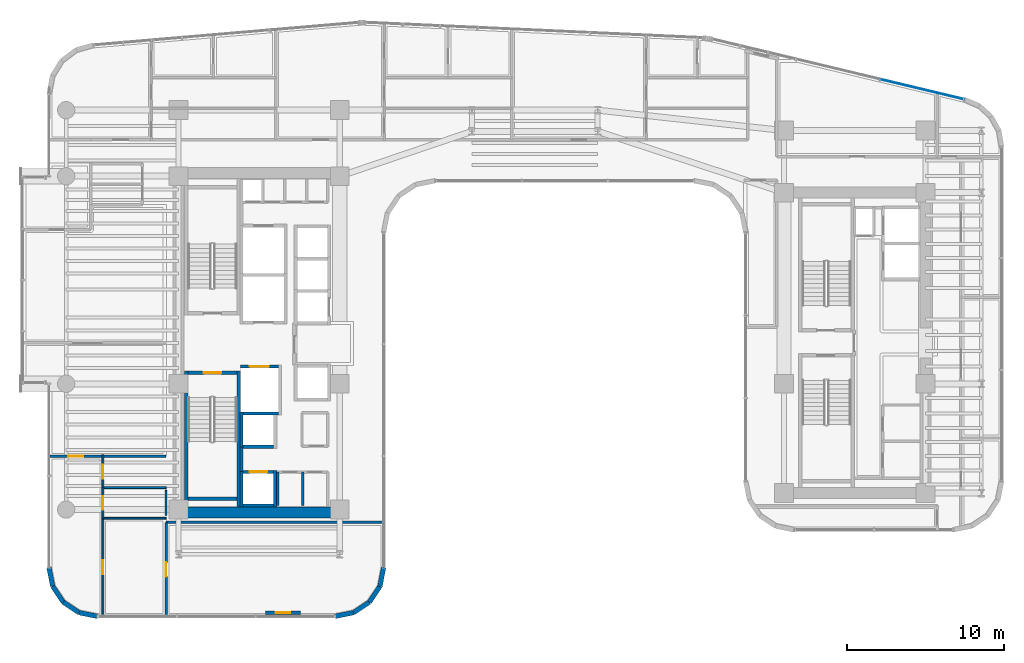
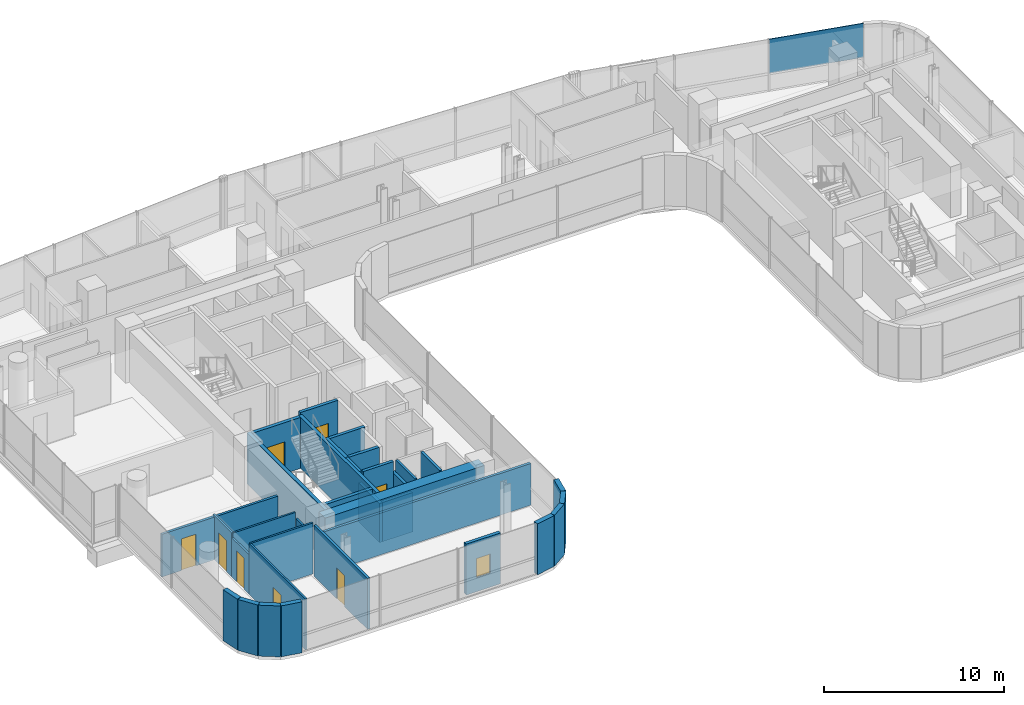
# One storey, part 26 of 36: 34 walls, 8 doors, 1 plate, 1 window, 9 openings, 1 element without a shape of its own.
"""IFC4 building model written with IfcOpenShell, lengths in metres."""

from ifc_helpers import new_model, si_unit, direction, frame, frame_2d, origin, origin_2d, place, context, subcontext, project, spatial, rectangle, extrude, source, transform, mapped, material, layer, layer_set, type_object, element, fill, aggregate, save


model = new_model("IFC4")

# Units and contexts
model_context = context("Model", 3, precision=1e-05, world=origin(), true_north=direction((0.0, 1.0)))
body_context = subcontext(model_context, "Body", "Model", "MODEL_VIEW")
ifc_project = project(units=[si_unit("LENGTHUNIT", "METRE"), si_unit("AREAUNIT", "SQUARE_METRE"), si_unit("VOLUMEUNIT", "CUBIC_METRE"), si_unit("PLANEANGLEUNIT", "RADIAN"), si_unit("MASSUNIT", "GRAM", prefix="KILO")], contexts=[model_context])

# Site, building, storey
site_placement = place(None, origin())
site = spatial("IfcSite", under=ifc_project, at=site_placement, CompositionType="ELEMENT")
building_placement = place(site_placement, origin())
building = spatial("IfcBuilding", under=site, at=building_placement, Name="Valdorenza Pilgrim Sanctuary Tower", CompositionType="ELEMENT")
storey_placement = place(building_placement, frame((0.0, 0.0, 109.39990234375)))
storey = spatial("IfcBuildingStorey", under=building, at=storey_placement, Name="L27", CompositionType="ELEMENT", Elevation=109.39990234375)

# Curtain wall, plate
ifc_material_1 = material(Name="Curtain-wall IGU glazing", Category="glass")
curtain_wall_type = type_object("IfcCurtainWallType", Name="CW-SYS-03", PredefinedType="NOTDEFINED", material=ifc_material_1)
curtain_wall_placement = place(storey_placement, origin())
curtain_wall = element("IfcCurtainWall", 1, at=curtain_wall_placement, inside=storey, type_object=curtain_wall_type, Name="L27 Curtain Wall CW-L27-1-16", PredefinedType="NOTDEFINED")
ifc_material_2 = material(Name="Ceramic-fritted low-E IGU glazing", Category="glass")
ifc_layer_1 = layer(ifc_material_2, 0.035888671875, Name="Ceramic-fritted low-E IGU glazing")
ifc_layer_set_1 = layer_set([ifc_layer_1], Name="Ceramic-fritted low-E IGU glazing")
plate_type = type_object("IfcPlateType", Name="CW-GLZ-IGU", PredefinedType="USERDEFINED", material=ifc_layer_set_1)
shared_shape = source(origin(), body_context, "Body", "SweptSolid", [
    extrude(rectangle(XDim=5.477294921875, YDim=0.050048828125, at=origin_2d()), origin(), (0.0, 0.0, 1.0), 2.320068359375),
])
plate_placement = place(storey_placement, frame((24.63720703125, 16.122802734375, 1.1298828125), z_axis=(0.0, 0.0, 1.0), x_axis=(0.972528596343, -0.232783438617, 0.0)))
plate = element("IfcPlate", 2, at=plate_placement, type_object=plate_type, Name="CW-L27-1-16 Facade Panel 3", ObjectType="GLAZING", PredefinedType="USERDEFINED", context=body_context, shape_type="MappedRepresentation", body=[
    mapped(shared_shape, transform((0.0, 0.0, 0.0), x_axis=(1.0, 0.0, 0.0), y_axis=(0.0, 1.0, 0.0), z_axis=(0.0, 0.0, 1.0), scale=1.0)),
])
aggregate(curtain_wall, [plate])

# Walls
ifc_material_3 = material(Name="Acoustic twin-stud gypsum partition", Category="gypsum")
ifc_layer_2 = layer(ifc_material_3, 0.159912109375, Name="Acoustic twin-stud gypsum partition")
ifc_layer_set_2 = layer_set([ifc_layer_2], Name="Acoustic twin-stud gypsum partition")
wall_type_1 = type_object("IfcWallType", Name="WAL-COR-160", PredefinedType="PARTITIONING", material=ifc_layer_set_2)
wall_1_placement = place(storey_placement, frame((-18.64990234375, -8.179931640625, 0.0), z_axis=(0.0, 0.0, 1.0), x_axis=(0.0, 1.0, 0.0)))
element("IfcWall", 3, at=wall_1_placement, inside=storey, type_object=wall_type_1, Name="L27 Core A South Lift Hall West Wall", PredefinedType="PARTITIONING", context=body_context, shape_type="SweptSolid", body=[
    extrude(rectangle(XDim=1.559814453125, YDim=0.159912109375, at=frame_2d((0.77978515625, 0.0))), origin(), (0.0, 0.0, 1.0), 3.460205078125),
])
wall_2_placement = place(storey_placement, frame((-14.75, -10.35009765625, 0.0), z_axis=(0.0, 0.0, 1.0), x_axis=(0.0, 1.0, 0.0)))
element("IfcWall", 4, at=wall_2_placement, inside=storey, type_object=wall_type_1, Name="L27 Freed Shaft 1 Split Wall", PredefinedType="PARTITIONING", context=body_context, shape_type="SweptSolid", body=[
    extrude(rectangle(XDim=2.130126953125, YDim=0.159912109375, at=frame_2d((1.06494140625, 0.0))), origin(), (0.0, 0.0, 1.0), 3.460205078125),
])
wall_3_placement = place(storey_placement, frame((-23.449951171875, -11.419921875, 0.0), z_axis=(0.0, 0.0, 1.0), x_axis=(1.0, 0.0, 0.0)))
element("IfcWall", 5, at=wall_3_placement, inside=storey, type_object=wall_type_1, Name="L27 South-East Pocket North Wall", PredefinedType="PARTITIONING", context=body_context, shape_type="SweptSolid", body=[
    extrude(rectangle(XDim=13.83984375, YDim=0.159912109375, at=frame_2d((6.919921875, 0.0))), origin(), (0.0, 0.0, 1.0), 2.833984375),
])

# Wall, opening, door
wall_4_placement = place(storey_placement, frame((-23.449951171875, -17.389892578125, 0.0), z_axis=(0.0, 0.0, 1.0), x_axis=(0.0, 1.0, 0.0)))
wall_4 = element("IfcWall", 6, at=wall_4_placement, inside=storey, type_object=wall_type_1, Name="L27 South-East Pocket West Wall", PredefinedType="PARTITIONING", context=body_context, shape_type="SweptSolid", body=[
    extrude(rectangle(XDim=5.969970703125, YDim=0.159912109375, at=frame_2d((2.98486328125, 0.0))), origin(), (0.0, 0.0, 1.0), 3.460205078125),
])
opening_1_placement = place(wall_4_placement, frame((2.534912109375, 0.0, 0.0)))
opening_1 = element("IfcOpeningElement", 7, at=opening_1_placement, cuts=wall_4, Name="Opening DR-RM1", PredefinedType="OPENING", context=body_context, shape_type="SweptSolid", body=[
    extrude(rectangle(XDim=0.89990234375, YDim=2.10009765625, at=frame_2d((0.449951171875, 1.050048828125))), frame((0.0, 0.0947265625, 0.0), z_axis=(0.0, -1.0, 0.0), x_axis=(1.0, 0.0, 0.0)), (0.0, 0.0, 1.0), 0.189697265625),
])
ifc_material_4 = material(Name="Solid-core European oak timber", Category="wood")
door_type_1 = type_object("IfcDoorType", Name="DR-ROOM-900", OperationType="NOTDEFINED", PredefinedType="DOOR", material=ifc_material_4)
door_1_placement = place(opening_1_placement, origin())
door_1 = element("IfcDoor", 8, at=door_1_placement, inside=storey, type_object=door_type_1, Name="L27 Sacred Archive Reading Library L27-S Door", OperationType="SINGLE_SWING_RIGHT", OverallHeight=2.10009765625, OverallWidth=0.89990234375, PredefinedType="DOOR", context=body_context, shape_type="SweptSolid", body=[
    extrude(rectangle(XDim=0.89990234375, YDim=2.10009765625, at=frame_2d((0.449951171875, 1.050048828125))), frame((0.0, 0.02490234375, 0.0), z_axis=(0.0, -1.0, 0.0), x_axis=(1.0, 0.0, 0.0)), (0.0, 0.0, 1.0), 0.050048828125),
])
fill(opening_1, door_1)

wall_5_placement = place(storey_placement, frame((-30.889892578125, -7.199951171875, 0.0), z_axis=(0.0, 0.0, 1.0), x_axis=(1.0, 0.0, 0.0)))
wall_5 = element("IfcWall", 9, at=wall_5_placement, inside=storey, type_object=wall_type_1, Name="L27 Cloister South Room Wall", PredefinedType="PARTITIONING", context=body_context, shape_type="SweptSolid", body=[
    extrude(rectangle(XDim=7.43994140625, YDim=0.159912109375, at=frame_2d((3.719970703125, 0.0))), origin(), (0.0, 0.0, 1.0), 2.89599609375),
])
opening_2_placement = place(wall_5_placement, frame((1.236083984375, 0.0, 0.0)))
opening_2 = element("IfcOpeningElement", 10, at=opening_2_placement, cuts=wall_5, Name="Opening DR-UN1", PredefinedType="OPENING", context=body_context, shape_type="SweptSolid", body=[
    extrude(rectangle(XDim=0.949951171875, YDim=2.14990234375, at=frame_2d((0.47509765625, 1.074951171875))), frame((0.0, 0.0947265625, 0.0), z_axis=(0.0, -1.0, 0.0), x_axis=(1.0, 0.0, 0.0)), (0.0, 0.0, 1.0), 0.189697265625),
])
door_type_2 = type_object("IfcDoorType", Name="DR-UNIT-950", OperationType="NOTDEFINED", PredefinedType="DOOR", material=ifc_material_4)
door_2_placement = place(opening_2_placement, origin())
door_2 = element("IfcDoor", 11, at=door_2_placement, inside=storey, type_object=door_type_2, Name="L27 Sanctuary Apartment L27-CS1 Entrance Door", OperationType="SINGLE_SWING_RIGHT", OverallHeight=2.14990234375, OverallWidth=0.949951171875, PredefinedType="DOOR", context=body_context, shape_type="SweptSolid", body=[
    extrude(rectangle(XDim=0.949951171875, YDim=2.14990234375, at=frame_2d((0.47509765625, 1.074951171875))), frame((0.0, 0.02490234375, 0.0), z_axis=(0.0, -1.0, 0.0), x_axis=(1.0, 0.0, 0.0)), (0.0, 0.0, 1.0), 0.050048828125),
])
fill(opening_2, door_2)

# Walls
ifc_material_5 = material(Name="Concrete C60/75", Category="concrete")
ifc_layer_3 = layer(ifc_material_5, 0.699951171875, Name="Concrete C60/75")
ifc_layer_set_3 = layer_set([ifc_layer_3], Name="Concrete C60/75")
wall_type_2 = type_object("IfcWallType", Name="WAL-COR-700", PredefinedType="SHEAR", material=ifc_layer_set_3)
wall_6_placement = place(storey_placement, frame((-22.64990234375, -10.800048828125, 0.0), z_axis=(0.0, 0.0, 1.0), x_axis=(1.0, 0.0, 0.0)))
element("IfcWall", 12, at=wall_6_placement, inside=storey, type_object=wall_type_2, Name="L27 Split Core A Shear Wall S", PredefinedType="SHEAR", context=body_context, shape_type="SweptSolid", body=[
    extrude(rectangle(XDim=10.25, YDim=0.699951171875, at=frame_2d((5.125, 0.0))), origin(), (0.0, 0.0, 1.0), 3.460205078125),
])
ifc_material_6 = material(Name="Honed travertine limestone", Category="masonry")
ifc_layer_4 = layer(ifc_material_6, 0.300048828125, Name="Honed travertine limestone")
ifc_layer_set_4 = layer_set([ifc_layer_4], Name="Honed travertine limestone")
wall_type_3 = type_object("IfcWallType", Name="WAL-EXT-300", PredefinedType="SOLIDWALL", material=ifc_layer_set_4)
wall_7_placement = place(storey_placement, frame((-9.610107421875, -14.289306640625, 0.0), z_axis=(0.0, 0.0, 1.0), x_axis=(-0.194996050505, -0.980804027463, 0.0)))
element("IfcWall", 13, at=wall_7_placement, inside=storey, type_object=wall_type_3, Name="L27 Rounded Wind-Corner Stone Pier 42", PredefinedType="SOLIDWALL", context=body_context, shape_type="SweptSolid", body=[
    extrude(rectangle(XDim=1.2158203125, YDim=0.300048828125, at=frame_2d((0.60791015625, 0.0))), origin(), (0.0, 0.0, 1.0), 3.460205078125),
])
for number, where, z_axis, x_axis, name in (
    (14, (-9.84716796875, -15.481689453125, 0.0), (0.0, 0.0, 1.0), (-0.555635100982, -0.831426265255, 0.0), "L27 Rounded Wind-Corner Stone Pier 43"),
    (15, (-10.5166015625, -16.4833984375, 0.0), (0.0, 0.0, 1.0), (-0.831426265255, -0.555635100982, 0.0), "L27 Rounded Wind-Corner Stone Pier 44"),
):
    element("IfcWall", number, at=place(storey_placement, frame(where, z_axis=z_axis, x_axis=x_axis)), inside=storey, type_object=wall_type_3, Name=name, PredefinedType="SOLIDWALL", context=body_context, shape_type="SweptSolid", body=[
        extrude(rectangle(XDim=1.204833984375, YDim=0.300048828125, at=frame_2d((0.6025390625, 0.0))), origin(), (0.0, 0.0, 1.0), 3.460205078125),
    ])
wall_8_placement = place(storey_placement, frame((-11.518310546875, -17.15283203125, 0.0), z_axis=(0.0, 0.0, 1.0), x_axis=(-0.980804027463, -0.194996050505, 0.0)))
element("IfcWall", 16, at=wall_8_placement, inside=storey, type_object=wall_type_3, Name="L27 Rounded Wind-Corner Stone Pier 45", PredefinedType="SOLIDWALL", context=body_context, shape_type="SweptSolid", body=[
    extrude(rectangle(XDim=1.2158203125, YDim=0.300048828125, at=frame_2d((0.60791015625, 0.0))), origin(), (0.0, 0.0, 1.0), 3.460205078125),
])

# Wall, opening, window
wall_9_placement = place(storey_placement, frame((-14.910888671875, -17.14990234375, 0.0), z_axis=(0.0, 0.0, 1.0), x_axis=(-1.0, 0.0, 0.0)))
wall_9 = element("IfcWall", 17, at=wall_9_placement, inside=storey, type_object=wall_type_3, Name="L27 Operable Ventilation Sash Jamb Pier", PredefinedType="SOLIDWALL", context=body_context, shape_type="SweptSolid", body=[
    extrude(rectangle(XDim=2.199951171875, YDim=0.219970703125, at=frame_2d((1.10009765625, 0.0))), origin(), (0.0, 0.0, 1.0), 3.460205078125),
])
opening_3_placement = place(wall_9_placement, frame((0.64990234375, 0.0, 0.949951171875)))
opening_3 = element("IfcOpeningElement", 18, at=opening_3_placement, cuts=wall_9, Name="Opening WN-OP1", PredefinedType="OPENING", context=body_context, shape_type="SweptSolid", body=[
    extrude(rectangle(XDim=0.89990234375, YDim=1.300048828125, at=frame_2d((0.449951171875, 0.64990234375))), frame((0.0, 0.125, 0.0), z_axis=(0.0, -1.0, 0.0), x_axis=(1.0, 0.0, 0.0)), (0.0, 0.0, 1.0), 0.249755859375),
])
window_type = type_object("IfcWindowType", Name="WIN-OPN-900", PartitioningType="SINGLE_PANEL", PredefinedType="WINDOW", material=ifc_material_2)
window_placement = place(opening_3_placement, origin())
window = element("IfcWindow", 19, at=window_placement, inside=storey, type_object=window_type, Name="L27 Parallel-Pop-Out Operable Facade Panel", OverallHeight=1.300048828125, OverallWidth=0.89990234375, PartitioningType="SINGLE_PANEL", PredefinedType="WINDOW", context=body_context, shape_type="SweptSolid", body=[
    extrude(rectangle(XDim=0.89990234375, YDim=1.300048828125, at=frame_2d((0.449951171875, 0.64990234375))), frame((0.0, 0.030029296875, 0.0), z_axis=(0.0, -1.0, 0.0), x_axis=(1.0, 0.0, 0.0)), (0.0, 0.0, 1.0), 0.06005859375),
])
fill(opening_3, window)

# Walls
wall_10_placement = place(storey_placement, frame((-27.789306640625, -17.389892578125, 0.0), z_axis=(0.0, 0.0, 1.0), x_axis=(-0.980804027463, 0.194996050505, 0.0)))
element("IfcWall", 20, at=wall_10_placement, inside=storey, type_object=wall_type_3, Name="L27 Rounded Wind-Corner Stone Pier 47", PredefinedType="SOLIDWALL", context=body_context, shape_type="SweptSolid", body=[
    extrude(rectangle(XDim=1.2158203125, YDim=0.300048828125, at=frame_2d((0.60791015625, 0.0))), origin(), (0.0, 0.0, 1.0), 3.460205078125),
])
for number, where, z_axis, x_axis, name in (
    (21, (-28.981689453125, -17.15283203125, 0.0), (0.0, 0.0, 1.0), (-0.831426265255, 0.555635100982, 0.0), "L27 Rounded Wind-Corner Stone Pier 48"),
    (22, (-29.9833984375, -16.4833984375, 0.0), (0.0, 0.0, 1.0), (-0.555635100982, 0.831426265255, 0.0), "L27 Rounded Wind-Corner Stone Pier 49"),
):
    element("IfcWall", number, at=place(storey_placement, frame(where, z_axis=z_axis, x_axis=x_axis)), inside=storey, type_object=wall_type_3, Name=name, PredefinedType="SOLIDWALL", context=body_context, shape_type="SweptSolid", body=[
        extrude(rectangle(XDim=1.204833984375, YDim=0.300048828125, at=frame_2d((0.6025390625, 0.0))), origin(), (0.0, 0.0, 1.0), 3.460205078125),
    ])
wall_11_placement = place(storey_placement, frame((-30.65283203125, -15.481689453125, 0.0), z_axis=(0.0, 0.0, 1.0), x_axis=(-0.194996050505, 0.980804027463, 0.0)))
element("IfcWall", 23, at=wall_11_placement, inside=storey, type_object=wall_type_3, Name="L27 Rounded Wind-Corner Stone Pier 50", PredefinedType="SOLIDWALL", context=body_context, shape_type="SweptSolid", body=[
    extrude(rectangle(XDim=1.2158203125, YDim=0.300048828125, at=frame_2d((0.60791015625, 0.0))), origin(), (0.0, 0.0, 1.0), 3.460205078125),
])
ifc_material_7 = material(Name="Moisture-resistant gypsum partition", Category="gypsum")
ifc_layer_5 = layer(ifc_material_7, 0.1201171875, Name="Moisture-resistant gypsum partition")
ifc_layer_set_5 = layer_set([ifc_layer_5], Name="Moisture-resistant gypsum partition")
wall_type_4 = type_object("IfcWallType", Name="WAL-INT-120", PredefinedType="PARTITIONING", material=ifc_layer_set_5)
wall_12_placement = place(storey_placement, frame((-27.467529296875, -9.199951171875, 0.0), z_axis=(0.0, 0.0, 1.0), x_axis=(1.0, 0.0, 0.0)))
element("IfcWall", 24, at=wall_12_placement, inside=storey, type_object=wall_type_4, Name="L27 Sanctuary Apartment L27-CS1 Bath-Kitchen Wall", PredefinedType="PARTITIONING", context=body_context, shape_type="SweptSolid", body=[
    extrude(rectangle(XDim=4.017578125, YDim=0.1201171875, at=frame_2d((2.0087890625, 0.0))), origin(), (0.0, 0.0, 1.0), 2.988037109375),
])
wall_13_placement = place(storey_placement, frame((-27.467529296875, -11.14990234375, 0.0), z_axis=(0.0, 0.0, 1.0), x_axis=(1.0, 0.0, 0.0)))
element("IfcWall", 25, at=wall_13_placement, inside=storey, type_object=wall_type_4, Name="L27 Sanctuary Apartment L27-CS1 Kitchen-Bedroom Wall", PredefinedType="PARTITIONING", context=body_context, shape_type="SweptSolid", body=[
    extrude(rectangle(XDim=4.017578125, YDim=0.1201171875, at=frame_2d((2.0087890625, 0.0))), origin(), (0.0, 0.0, 1.0), 3.460205078125),
])

# Wall, opening, door
wall_14_placement = place(storey_placement, frame((-27.467529296875, -11.14990234375, 0.0), z_axis=(0.0, 0.0, 1.0), x_axis=(0.0, 1.0, 0.0)))
wall_14 = element("IfcWall", 26, at=wall_14_placement, inside=storey, type_object=wall_type_4, Name="L27 Sanctuary Apartment L27-CS1 Bathroom Door Wall", PredefinedType="PARTITIONING", context=body_context, shape_type="SweptSolid", body=[
    extrude(rectangle(XDim=1.949951171875, YDim=0.1201171875, at=frame_2d((0.97509765625, 0.0))), origin(), (0.0, 0.0, 1.0), 2.666015625),
])
opening_4_placement = place(wall_14_placement, frame((0.550048828125, 0.0, 0.0)))
opening_4 = element("IfcOpeningElement", 27, at=opening_4_placement, cuts=wall_14, Name="Opening DR-WC1", PredefinedType="OPENING", context=body_context, shape_type="SweptSolid", body=[
    extrude(rectangle(XDim=0.85009765625, YDim=2.10009765625, at=frame_2d((0.425048828125, 1.050048828125))), frame((0.0, 0.074951171875, 0.0), z_axis=(0.0, -1.0, 0.0), x_axis=(1.0, 0.0, 0.0)), (0.0, 0.0, 1.0), 0.14990234375),
])
ifc_material_8 = material(Name="Moisture-resistant lacquered timber", Category="wood")
door_type_3 = type_object("IfcDoorType", Name="DR-BATH-850", OperationType="NOTDEFINED", PredefinedType="DOOR", material=ifc_material_8)
door_3_placement = place(opening_4_placement, origin())
door_3 = element("IfcDoor", 28, at=door_3_placement, inside=storey, type_object=door_type_3, Name="L27 Sanctuary Apartment L27-CS1 Bathroom Door", OperationType="SINGLE_SWING_LEFT", OverallHeight=2.10009765625, OverallWidth=0.85009765625, PredefinedType="DOOR", context=body_context, shape_type="SweptSolid", body=[
    extrude(rectangle(XDim=0.85009765625, YDim=2.10009765625, at=frame_2d((0.425048828125, 1.050048828125))), frame((0.0, 0.02490234375, 0.0), z_axis=(0.0, -1.0, 0.0), x_axis=(1.0, 0.0, 0.0)), (0.0, 0.0, 1.0), 0.050048828125),
])
fill(opening_4, door_3)

wall_15_placement = place(storey_placement, frame((-27.467529296875, -9.199951171875, 0.0), z_axis=(0.0, 0.0, 1.0), x_axis=(0.0, 1.0, 0.0)))
wall_15 = element("IfcWall", 29, at=wall_15_placement, inside=storey, type_object=wall_type_4, Name="L27 Sanctuary Apartment L27-CS1 Kitchen Door Wall", PredefinedType="PARTITIONING", context=body_context, shape_type="SweptSolid", body=[
    extrude(rectangle(XDim=2.079833984375, YDim=0.1201171875, at=frame_2d((1.0400390625, 0.0))), origin(), (0.0, 0.0, 1.0), 2.988037109375),
])
opening_5_placement = place(wall_15_placement, frame((0.550048828125, 0.0, 0.0)))
opening_5 = element("IfcOpeningElement", 30, at=opening_5_placement, cuts=wall_15, Name="Opening DR-RM1", PredefinedType="OPENING", context=body_context, shape_type="SweptSolid", body=[
    extrude(rectangle(XDim=0.89990234375, YDim=2.10009765625, at=frame_2d((0.449951171875, 1.050048828125))), frame((0.0, 0.074951171875, 0.0), z_axis=(0.0, -1.0, 0.0), x_axis=(1.0, 0.0, 0.0)), (0.0, 0.0, 1.0), 0.14990234375),
])
door_4_placement = place(opening_5_placement, origin())
door_4 = element("IfcDoor", 31, at=door_4_placement, inside=storey, type_object=door_type_1, Name="L27 Sanctuary Apartment L27-CS1 Kitchen Door", OperationType="SINGLE_SWING_RIGHT", OverallHeight=2.10009765625, OverallWidth=0.89990234375, PredefinedType="DOOR", context=body_context, shape_type="SweptSolid", body=[
    extrude(rectangle(XDim=0.89990234375, YDim=2.10009765625, at=frame_2d((0.449951171875, 1.050048828125))), frame((0.0, 0.02490234375, 0.0), z_axis=(0.0, -1.0, 0.0), x_axis=(1.0, 0.0, 0.0)), (0.0, 0.0, 1.0), 0.050048828125),
])
fill(opening_5, door_4)

wall_16_placement = place(storey_placement, frame((-27.467529296875, -17.389892578125, 0.0), z_axis=(0.0, 0.0, 1.0), x_axis=(0.0, 1.0, 0.0)))
wall_16 = element("IfcWall", 32, at=wall_16_placement, inside=storey, type_object=wall_type_4, Name="L27 Sanctuary Apartment L27-CS1 Bedroom Door Wall", PredefinedType="PARTITIONING", context=body_context, shape_type="SweptSolid", body=[
    extrude(rectangle(XDim=6.239990234375, YDim=0.1201171875, at=frame_2d((3.1201171875, 0.0))), origin(), (0.0, 0.0, 1.0), 3.460205078125),
])
opening_6_placement = place(wall_16_placement, frame((2.669921875, 0.0, 0.0)))
opening_6 = element("IfcOpeningElement", 33, at=opening_6_placement, cuts=wall_16, Name="Opening DR-RM1", PredefinedType="OPENING", context=body_context, shape_type="SweptSolid", body=[
    extrude(rectangle(XDim=0.89990234375, YDim=2.10009765625, at=frame_2d((0.449951171875, 1.050048828125))), frame((0.0, 0.074951171875, 0.0), z_axis=(0.0, -1.0, 0.0), x_axis=(1.0, 0.0, 0.0)), (0.0, 0.0, 1.0), 0.14990234375),
])
door_5_placement = place(opening_6_placement, frame((0.89990234375, 0.0, 0.0), z_axis=(0.0, 0.0, 1.0), x_axis=(-1.0, 0.0, 0.0)))
door_5 = element("IfcDoor", 34, at=door_5_placement, inside=storey, type_object=door_type_1, Name="L27 Sanctuary Apartment L27-CS1 Bedroom Door", OperationType="SINGLE_SWING_LEFT", OverallHeight=2.10009765625, OverallWidth=0.89990234375, PredefinedType="DOOR", context=body_context, shape_type="SweptSolid", body=[
    extrude(rectangle(XDim=0.89990234375, YDim=2.10009765625, at=frame_2d((0.449951171875, 1.050048828125))), frame((0.0, 0.02490234375, 0.0), z_axis=(0.0, -1.0, 0.0), x_axis=(1.0, 0.0, 0.0)), (0.0, 0.0, 1.0), 0.050048828125),
])
fill(opening_6, door_5)

# Walls
wall_17_placement = place(storey_placement, frame((-23.449951171875, -10.969970703125, 0.0), z_axis=(0.0, 0.0, 1.0), x_axis=(0.0, 1.0, 0.0)))
element("IfcWall", 35, at=wall_17_placement, inside=storey, type_object=wall_type_4, Name="L27 CL-SF1-BTH Enclosure Wall E", PredefinedType="PARTITIONING", context=body_context, shape_type="SweptSolid", body=[
    extrude(rectangle(XDim=1.590087890625, YDim=0.1201171875, at=frame_2d((0.794921875, 0.0))), origin(), (0.0, 0.0, 1.0), 2.666015625),
])
ifc_material_9 = material(Name="Autoclaved aerated concrete blockwork", Category="masonry")
ifc_layer_6 = layer(ifc_material_9, 0.199951171875, Name="Autoclaved aerated concrete blockwork")
ifc_layer_set_6 = layer_set([ifc_layer_6], Name="Autoclaved aerated concrete blockwork")
wall_type_5 = type_object("IfcWallType", Name="WAL-SHF-200", PredefinedType="MOVABLE", material=ifc_layer_set_6)
wall_18_placement = place(storey_placement, frame((-18.719970703125, -4.5, 0.0), z_axis=(0.0, 0.0, 1.0), x_axis=(1.0, 0.0, 0.0)))
element("IfcWall", 36, at=wall_18_placement, inside=storey, type_object=wall_type_5, Name="L27 Lift FFL-02 Hoistway Wall South", PredefinedType="MOVABLE", context=body_context, shape_type="SweptSolid", body=[
    extrude(rectangle(XDim=2.419921875, YDim=0.199951171875, at=frame_2d((1.2099609375, 0.0))), origin(), (0.0, 0.0, 1.0), 3.460205078125),
])

# Wall, opening, door
wall_19_placement = place(storey_placement, frame((-18.719970703125, -1.5, 0.0), z_axis=(0.0, 0.0, 1.0), x_axis=(1.0, 0.0, 0.0)))
wall_19 = element("IfcWall", 37, at=wall_19_placement, inside=storey, type_object=wall_type_5, Name="L27 Lift FFL-02 Hoistway Wall North", PredefinedType="MOVABLE", context=body_context, shape_type="SweptSolid", body=[
    extrude(rectangle(XDim=2.419921875, YDim=0.199951171875, at=frame_2d((1.2099609375, 0.0))), origin(), (0.0, 0.0, 1.0), 3.460205078125),
])
opening_7_placement = place(wall_19_placement, frame((0.610107421875, 0.0, 0.0)))
opening_7 = element("IfcOpeningElement", 38, at=opening_7_placement, cuts=wall_19, Name="Opening LD-02", PredefinedType="OPENING", context=body_context, shape_type="SweptSolid", body=[
    extrude(rectangle(XDim=1.199951171875, YDim=2.10009765625, at=frame_2d((0.60009765625, 1.050048828125))), frame((0.0, 0.11474609375, 0.0), z_axis=(0.0, -1.0, 0.0), x_axis=(1.0, 0.0, 0.0)), (0.0, 0.0, 1.0), 0.229736328125),
])
ifc_material_10 = material(Name="Brushed stainless steel Grade 316", Category="steel")
door_type_4 = type_object("IfcDoorType", Name="DR-LFT-1200", OperationType="DOUBLE_DOOR_SLIDING", PredefinedType="DOOR", material=ifc_material_10)
door_6_placement = place(opening_7_placement, origin())
door_6 = element("IfcDoor", 39, at=door_6_placement, inside=storey, type_object=door_type_4, Name="L27 Lift FFL-02 Sliding Landing Door", OperationType="DOUBLE_DOOR_SLIDING", OverallHeight=2.10009765625, OverallWidth=1.199951171875, PredefinedType="DOOR", context=body_context, shape_type="SweptSolid", body=[
    extrude(rectangle(XDim=1.199951171875, YDim=2.10009765625, at=frame_2d((0.60009765625, 1.050048828125))), frame((0.0, 0.02490234375, 0.0), z_axis=(0.0, -1.0, 0.0), x_axis=(1.0, 0.0, 0.0)), (0.0, 0.0, 1.0), 0.050048828125),
])
fill(opening_7, door_6)

# Walls
for number, where, z_axis, x_axis, name in (
    (40, (-18.64990234375, -10.449951171875, 0.0), (0.0, 0.0, 1.0), (0.0, 1.0, 0.0), "L27 Lift PL-05 Hoistway Wall West"),
    (41, (-16.5, -10.449951171875, 0.0), (0.0, 0.0, 1.0), (0.0, 1.0, 0.0), "L27 Lift PL-05 Hoistway Wall East"),
):
    element("IfcWall", number, at=place(storey_placement, frame(where, z_axis=z_axis, x_axis=x_axis)), inside=storey, type_object=wall_type_5, Name=name, PredefinedType="MOVABLE", context=body_context, shape_type="SweptSolid", body=[
        extrude(rectangle(XDim=2.349853515625, YDim=0.199951171875, at=frame_2d((1.1748046875, 0.0))), origin(), (0.0, 0.0, 1.0), 2.666015625),
    ])
wall_20_placement = place(storey_placement, frame((-18.550048828125, -10.35009765625, 0.0), z_axis=(0.0, 0.0, 1.0), x_axis=(1.0, 0.0, 0.0)))
element("IfcWall", 42, at=wall_20_placement, inside=storey, type_object=wall_type_5, Name="L27 Lift PL-05 Hoistway Wall South", PredefinedType="MOVABLE", context=body_context, shape_type="SweptSolid", body=[
    extrude(rectangle(XDim=1.949951171875, YDim=0.199951171875, at=frame_2d((0.97509765625, 0.0))), origin(), (0.0, 0.0, 1.0), 2.666015625),
])

# Wall, opening, door
wall_21_placement = place(storey_placement, frame((-18.550048828125, -8.199951171875, 0.0), z_axis=(0.0, 0.0, 1.0), x_axis=(1.0, 0.0, 0.0)))
wall_21 = element("IfcWall", 43, at=wall_21_placement, inside=storey, type_object=wall_type_5, Name="L27 Lift PL-05 Hoistway Wall North", PredefinedType="MOVABLE", context=body_context, shape_type="SweptSolid", body=[
    extrude(rectangle(XDim=1.949951171875, YDim=0.199951171875, at=frame_2d((0.97509765625, 0.0))), origin(), (0.0, 0.0, 1.0), 3.460205078125),
])
opening_8_placement = place(wall_21_placement, frame((0.425048828125, 0.0, 0.0)))
opening_8 = element("IfcOpeningElement", 44, at=opening_8_placement, cuts=wall_21, Name="Opening LD-01", PredefinedType="OPENING", context=body_context, shape_type="SweptSolid", body=[
    extrude(rectangle(XDim=1.10009765625, YDim=2.10009765625, at=frame_2d((0.550048828125, 1.050048828125))), frame((0.0, 0.11474609375, 0.0), z_axis=(0.0, -1.0, 0.0), x_axis=(1.0, 0.0, 0.0)), (0.0, 0.0, 1.0), 0.229736328125),
])
door_type_5 = type_object("IfcDoorType", Name="DR-LFT-1100", OperationType="DOUBLE_DOOR_SLIDING", PredefinedType="DOOR", material=ifc_material_10)
door_7_placement = place(opening_8_placement, origin())
door_7 = element("IfcDoor", 45, at=door_7_placement, inside=storey, type_object=door_type_5, Name="L27 Lift PL-05 Sliding Landing Door", OperationType="DOUBLE_DOOR_SLIDING", OverallHeight=2.10009765625, OverallWidth=1.10009765625, PredefinedType="DOOR", context=body_context, shape_type="SweptSolid", body=[
    extrude(rectangle(XDim=1.10009765625, YDim=2.10009765625, at=frame_2d((0.550048828125, 1.050048828125))), frame((0.0, 0.02490234375, 0.0), z_axis=(0.0, -1.0, 0.0), x_axis=(1.0, 0.0, 0.0)), (0.0, 0.0, 1.0), 0.050048828125),
])
fill(opening_8, door_7)

# Walls
wall_22_placement = place(storey_placement, frame((-18.64990234375, -6.699951171875, 0.0), z_axis=(0.0, 0.0, 1.0), x_axis=(0.0, 1.0, 0.0)))
element("IfcWall", 46, at=wall_22_placement, inside=storey, type_object=wall_type_5, Name="L27 Lift PL-11 Hoistway Wall West", PredefinedType="MOVABLE", context=body_context, shape_type="SweptSolid", body=[
    extrude(rectangle(XDim=2.300048828125, YDim=0.199951171875, at=frame_2d((1.14990234375, 0.0))), origin(), (0.0, 0.0, 1.0), 3.460205078125),
])
wall_23_placement = place(storey_placement, frame((-18.550048828125, -6.60009765625, 0.0), z_axis=(0.0, 0.0, 1.0), x_axis=(1.0, 0.0, 0.0)))
element("IfcWall", 47, at=wall_23_placement, inside=storey, type_object=wall_type_5, Name="L27 Lift PL-11 Hoistway Wall South", PredefinedType="MOVABLE", context=body_context, shape_type="SweptSolid", body=[
    extrude(rectangle(XDim=1.949951171875, YDim=0.199951171875, at=frame_2d((0.97509765625, 0.0))), origin(), (0.0, 0.0, 1.0), 3.460205078125),
])
ifc_material_11 = material(Name="Concrete C40/50", Category="concrete")
ifc_layer_7 = layer(ifc_material_11, 0.219970703125, Name="Concrete C40/50")
ifc_layer_set_7 = layer_set([ifc_layer_7], Name="Concrete C40/50")
wall_type_6 = type_object("IfcWallType", Name="WAL-STR-SHF-220", PredefinedType="SHEAR", material=ifc_layer_set_7)
for number, where, z_axis, x_axis, name in (
    (48, (-22.159912109375, -10.449951171875, 0.0), (0.0, 0.0, 1.0), (0.0, 1.0, 0.0), "L27 ST-A2 Structural Stairwell Wall W"),
    (49, (-18.830078125, -10.449951171875, 0.0), (0.0, 0.0, 1.0), (0.0, 1.0, 0.0), "L27 ST-A2 Structural Stairwell Wall E"),
):
    element("IfcWall", number, at=place(storey_placement, frame(where, z_axis=z_axis, x_axis=x_axis)), inside=storey, type_object=wall_type_6, Name=name, PredefinedType="SHEAR", context=body_context, shape_type="SweptSolid", body=[
        extrude(rectangle(XDim=8.669921875, YDim=0.219970703125, at=frame_2d((4.3349609375, 0.0))), origin(), (0.0, 0.0, 1.0), 3.460205078125),
    ])
wall_24_placement = place(storey_placement, frame((-22.050048828125, -9.909912109375, 0.0), z_axis=(0.0, 0.0, 1.0), x_axis=(1.0, 0.0, 0.0)))
element("IfcWall", 50, at=wall_24_placement, inside=storey, type_object=wall_type_6, Name="L27 ST-A2 Structural Stairwell Wall S", PredefinedType="SHEAR", context=body_context, shape_type="SweptSolid", body=[
    extrude(rectangle(XDim=3.110107421875, YDim=0.219970703125, at=frame_2d((1.55517578125, 0.0))), origin(), (0.0, 0.0, 1.0), 3.460205078125),
])

# Wall, opening, door
wall_25_placement = place(storey_placement, frame((-22.050048828125, -1.889892578125, 0.0), z_axis=(0.0, 0.0, 1.0), x_axis=(1.0, 0.0, 0.0)))
wall_25 = element("IfcWall", 51, at=wall_25_placement, inside=storey, type_object=wall_type_6, Name="L27 ST-A2 Structural Stairwell Wall N", PredefinedType="SHEAR", context=body_context, shape_type="SweptSolid", body=[
    extrude(rectangle(XDim=3.110107421875, YDim=0.219970703125, at=frame_2d((1.55517578125, 0.0))), origin(), (0.0, 0.0, 1.0), 3.460205078125),
])
opening_9_placement = place(wall_25_placement, frame((1.0, 0.0, 0.0)))
opening_9 = element("IfcOpeningElement", 52, at=opening_9_placement, cuts=wall_25, Name="Opening DR-ST1", PredefinedType="OPENING", context=body_context, shape_type="SweptSolid", body=[
    extrude(rectangle(XDim=1.10009765625, YDim=2.14990234375, at=frame_2d((0.550048828125, 1.074951171875))), frame((0.0, 0.125, 0.0), z_axis=(0.0, -1.0, 0.0), x_axis=(1.0, 0.0, 0.0)), (0.0, 0.0, 1.0), 0.249755859375),
])
ifc_material_12 = material(Name="Painted galvanized steel", Category="steel")
door_type_6 = type_object("IfcDoorType", Name="DR-STAIR-1100", OperationType="NOTDEFINED", PredefinedType="DOOR", material=ifc_material_12)
door_8_placement = place(opening_9_placement, origin())
door_8 = element("IfcDoor", 53, at=door_8_placement, inside=storey, type_object=door_type_6, Name="L27 Exit Stair ST-A2 Door", OperationType="SINGLE_SWING_RIGHT", OverallHeight=2.14990234375, OverallWidth=1.10009765625, PredefinedType="DOOR", context=body_context, shape_type="SweptSolid", body=[
    extrude(rectangle(XDim=1.10009765625, YDim=2.14990234375, at=frame_2d((0.550048828125, 1.074951171875))), frame((0.0, 0.02490234375, 0.0), z_axis=(0.0, -1.0, 0.0), x_axis=(1.0, 0.0, 0.0)), (0.0, 0.0, 1.0), 0.050048828125),
])
fill(opening_9, door_8)

# Wall
ifc_layer_8 = layer(ifc_material_3, 0.14990234375, Name="Acoustic twin-stud gypsum partition")
ifc_layer_set_8 = layer_set([ifc_layer_8], Name="Acoustic twin-stud gypsum partition")
wall_type_7 = type_object("IfcWallType", Name="WAL-UNT-150", PredefinedType="PARTITIONING", material=ifc_layer_set_8)
wall_26_placement = place(storey_placement, frame((-16.35009765625, -10.35009765625, 0.0), z_axis=(0.0, 0.0, 1.0), x_axis=(0.0, 1.0, 0.0)))
element("IfcWall", 54, at=wall_26_placement, inside=storey, type_object=wall_type_7, Name="L27 Freed Shaft 1 West Wall", PredefinedType="PARTITIONING", context=body_context, shape_type="SweptSolid", body=[
    extrude(rectangle(XDim=2.130126953125, YDim=0.14990234375, at=frame_2d((1.06494140625, 0.0))), origin(), (0.0, 0.0, 1.0), 3.460205078125),
])

save(model, "model.ifc")
